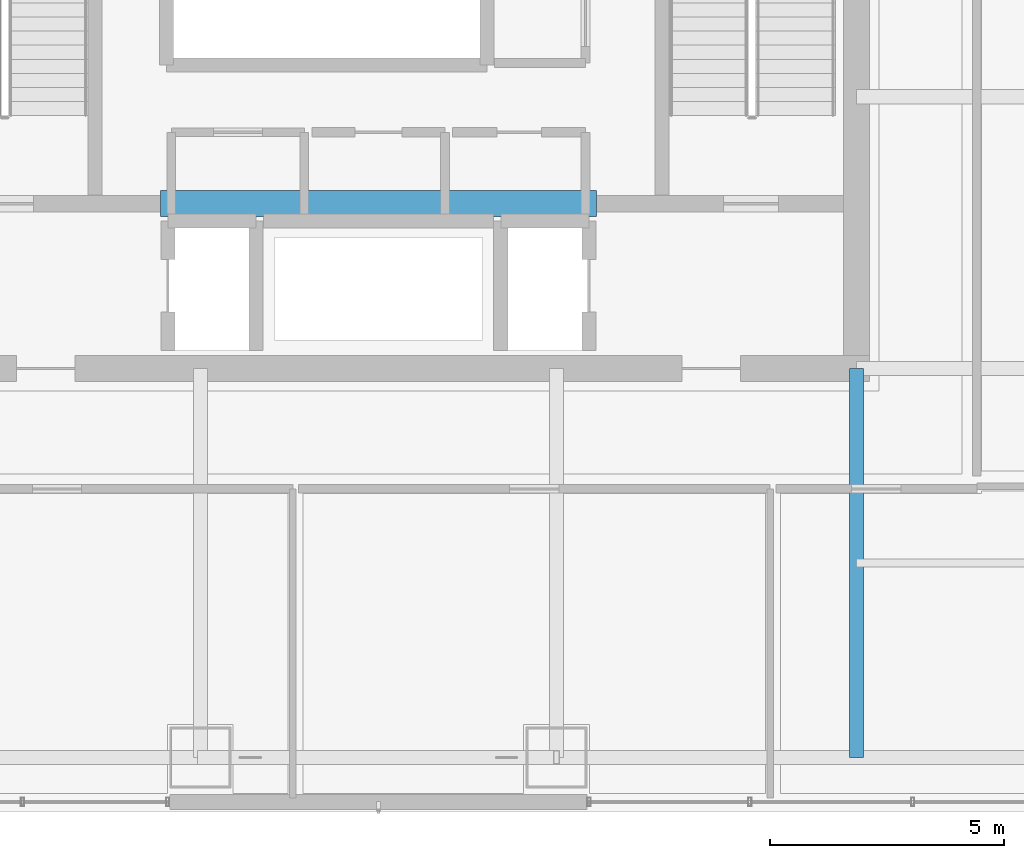
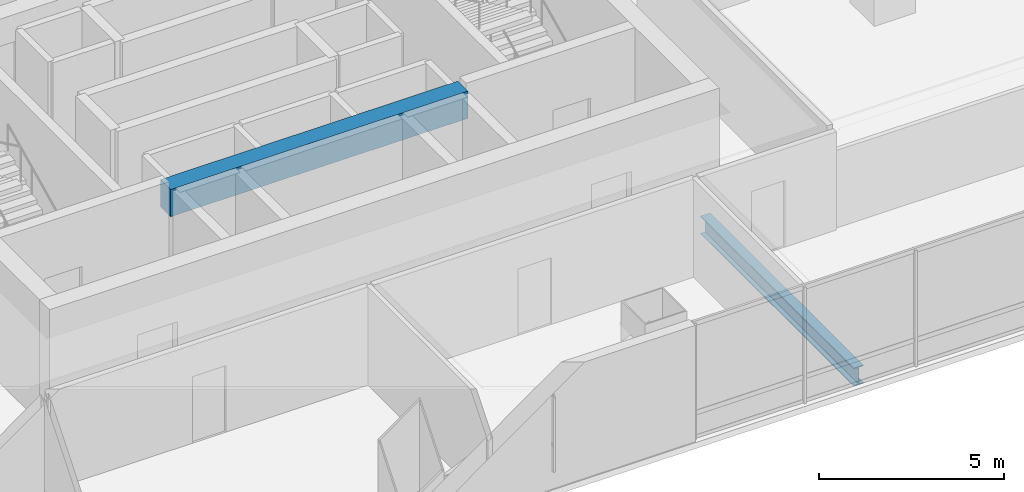
# One storey, part 7 of 44: 2 beams.
"""IFC4 building model written with IfcOpenShell, lengths in metres."""

from ifc_helpers import new_model, si_unit, direction, frame, origin, origin_2d, place, context, subcontext, project, spatial, rectangle, i_section, extrude, material, material_profile, profile_set, type_object, element, save


model = new_model("IFC4")

# Units and contexts
model_context = context("Model", 3, precision=1e-05, world=origin(), true_north=direction((0.0, 1.0)))
body_context = subcontext(model_context, "Body", "Model", "MODEL_VIEW")
ifc_project = project(units=[si_unit("LENGTHUNIT", "METRE"), si_unit("AREAUNIT", "SQUARE_METRE"), si_unit("VOLUMEUNIT", "CUBIC_METRE"), si_unit("PLANEANGLEUNIT", "RADIAN"), si_unit("MASSUNIT", "GRAM", prefix="KILO")], contexts=[model_context])

# Site, building, storey
site_placement = place(None, origin())
site = spatial("IfcSite", under=ifc_project, at=site_placement, CompositionType="ELEMENT")
building_placement = place(site_placement, origin())
building = spatial("IfcBuilding", under=site, at=building_placement, Name="Punatoya Terracotta Tower", CompositionType="ELEMENT")
storey_placement = place(building_placement, frame((0.0, 0.0, 267.60009765625)))
storey = spatial("IfcBuildingStorey", under=building, at=storey_placement, Name="L63", CompositionType="ELEMENT", Elevation=267.60009765625)

# Beams
ifc_material_1 = material(Name="Steel S355", Category="steel")
ifc_material_profile_1 = material_profile(ifc_material_1, i_section(OverallWidth=0.300048828125, OverallDepth=0.60009765625, WebThickness=0.015380859375, FlangeThickness=0.030029296875, FilletRadius=0.01806640625, at=origin_2d()))
ifc_profile_set_1 = profile_set([ifc_material_profile_1], Name="Steel S355")
beam_type_1 = type_object("IfcBeamType", Name="BM-PRI-600", PredefinedType="BEAM", material=ifc_profile_set_1)
beam_1_placement = place(storey_placement, frame((10.199951171875, -17.5, -0.5), z_axis=(0.0, 1.0, 0.0), x_axis=(-1.0, 0.0, 0.0)))
element("IfcBeam", 1, at=beam_1_placement, inside=storey, type_object=beam_type_1, Name="BM-L63-PR-S4", PredefinedType="BEAM", context=body_context, shape_type="SweptSolid", body=[
    extrude(i_section(OverallWidth=0.300048828125, OverallDepth=0.60009765625, WebThickness=0.015380859375, FlangeThickness=0.030029296875, FilletRadius=0.01806640625, at=origin_2d()), origin(), (0.0, 0.0, 1.0), 8.300048828125),
])
ifc_material_2 = material(Name="Concrete C50/60", Category="concrete")
ifc_material_profile_2 = material_profile(ifc_material_2, rectangle(XDim=0.550048828125, YDim=0.89990234375, at=origin_2d()))
ifc_profile_set_2 = profile_set([ifc_material_profile_2], Name="Concrete C50/60")
beam_type_2 = type_object("IfcBeamType", Name="BM-RC-900", PredefinedType="LINTEL", material=ifc_profile_set_2)
beam_2_placement = place(storey_placement, frame((-4.64990234375, -5.679931640625, 3.39990234375), z_axis=(1.0, 0.0, 0.0), x_axis=(0.0, 1.0, 0.0)))
element("IfcBeam", 2, at=beam_2_placement, inside=storey, type_object=beam_type_2, Name="L63 Core Coupling Lintel CSW", PredefinedType="LINTEL", context=body_context, shape_type="SweptSolid", body=[
    extrude(rectangle(XDim=0.550048828125, YDim=0.89990234375, at=origin_2d()), origin(), (0.0, 0.0, 1.0), 9.2998046875),
])

save(model, "model.ifc")
